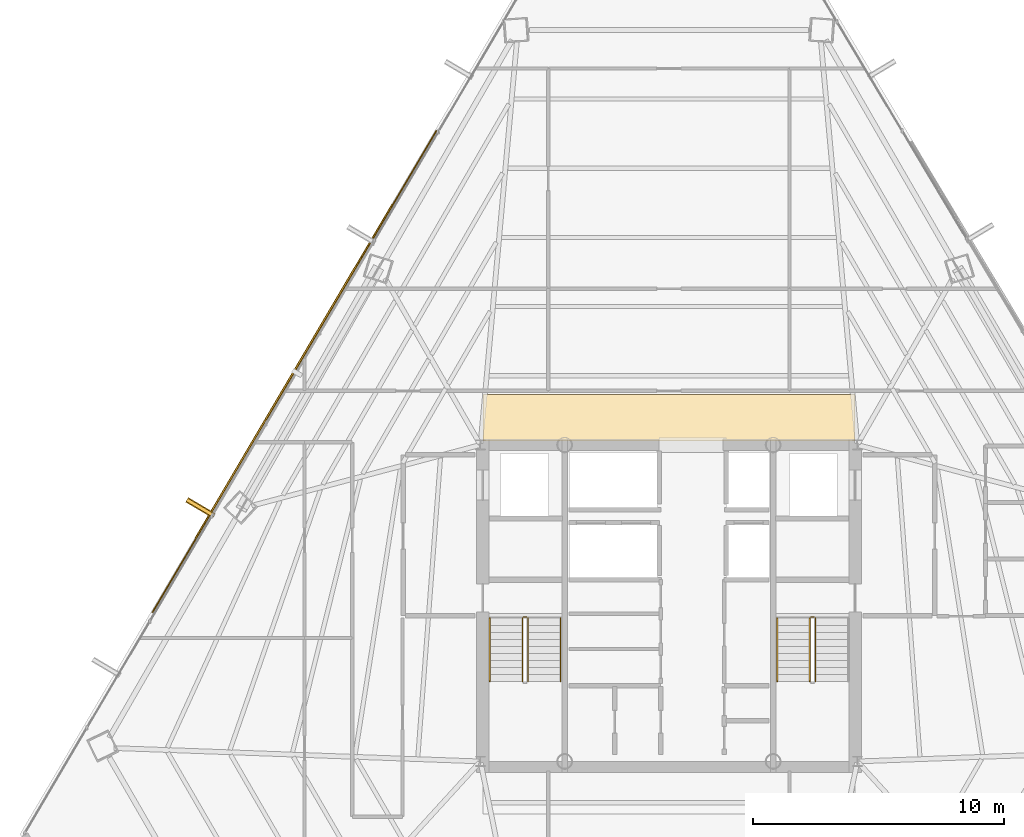
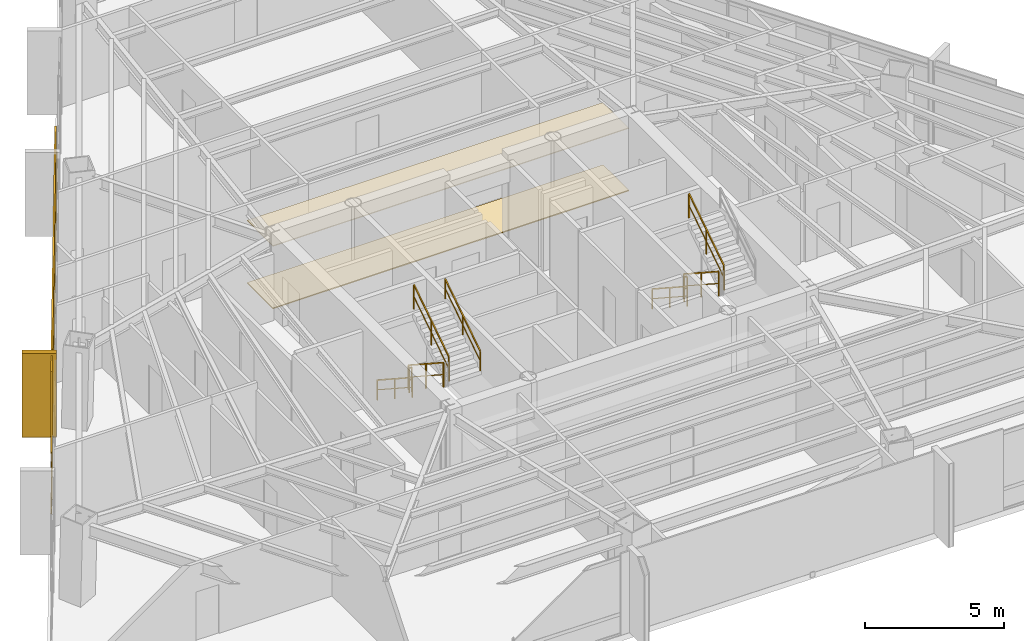
# One storey, part 40 of 41: 9 railings, 4 coverings, 2 shading devices.
"""IFC4 building model written with IfcOpenShell, lengths in metres."""

from ifc_helpers import new_model, si_unit, direction, frame, origin, origin_2d, place, context, subcontext, project, spatial, polyline, rectangle, outline, extrude, source, transform, mapped, material, layer, layer_set, type_object, type_shapes, element, save


model = new_model("IFC4")

# Units and contexts
model_context = context("Model", 3, precision=1e-05, world=origin(), true_north=direction((0.0, 1.0)))
body_context = subcontext(model_context, "Body", "Model", "MODEL_VIEW")
ifc_project = project(units=[si_unit("LENGTHUNIT", "METRE"), si_unit("AREAUNIT", "SQUARE_METRE"), si_unit("VOLUMEUNIT", "CUBIC_METRE"), si_unit("PLANEANGLEUNIT", "RADIAN"), si_unit("MASSUNIT", "GRAM", prefix="KILO")], contexts=[model_context])

# Site, building, storey
site_placement = place(None, origin())
site = spatial("IfcSite", under=ifc_project, at=site_placement, CompositionType="ELEMENT")
building_placement = place(site_placement, origin())
building = spatial("IfcBuilding", under=site, at=building_placement, Name="Caelisora Broadcast Tower", CompositionType="ELEMENT")
storey_placement = place(building_placement, frame((0.0, 0.0, 162.14990234375)))
storey = spatial("IfcBuildingStorey", under=building, at=storey_placement, Name="L42", CompositionType="ELEMENT", Elevation=162.14990234375)

# Coverings
ifc_material_1 = material(Name="Perforated Mineral-Fibre Acoustic Ceiling Tile", Category="gypsum")
ifc_layer_1 = layer(ifc_material_1, 0.034912109375, Name="Perforated Mineral-Fibre Acoustic Ceiling Tile")
ifc_layer_set_1 = layer_set([ifc_layer_1], Name="Perforated Mineral-Fibre Acoustic Ceiling Tile")
covering_type_1 = type_object("IfcCoveringType", Name="CE-1", PredefinedType="CEILING", material=ifc_layer_set_1)
covering_1_placement = place(storey_placement, frame((0.0, 0.0, 2.75)))
element("IfcCovering", 1, at=covering_1_placement, inside=storey, type_object=covering_type_1, Name="L42 acoustic corridor ceiling CE-1 (N)", PredefinedType="CEILING", context=body_context, shape_type="SweptSolid", body=[
    extrude(outline(polyline([(30.60009765625, 30.14990234375), (45.39990234375, 30.14990234375), (45.39990234375, 32.0), (30.60009765625, 32.0), (30.60009765625, 30.14990234375)])), origin(), (0.0, 0.0, 1.0), 0.03515625),
])
ifc_material_2 = material(Name="Anti-Static Broadcast Raised Access Floor Panel", Category="steel")
ifc_layer_2 = layer(ifc_material_2, 0.044921875, Name="Anti-Static Broadcast Raised Access Floor Panel")
ifc_layer_set_2 = layer_set([ifc_layer_2], Name="Anti-Static Broadcast Raised Access Floor Panel")
covering_type_2 = type_object("IfcCoveringType", Name="FL-1", PredefinedType="FLOORING", material=ifc_layer_set_2)
covering_2_placement = place(storey_placement, origin())
element("IfcCovering", 2, at=covering_2_placement, inside=storey, type_object=covering_type_2, Name="L42 broadcast raised access floor FL-1 (N)", PredefinedType="FLOORING", context=body_context, shape_type="SweptSolid", body=[
    extrude(outline(polyline([(30.60009765625, 30.14990234375), (45.39990234375, 30.14990234375), (45.39990234375, 32.0), (30.60009765625, 32.0), (30.60009765625, 30.14990234375)])), origin(), (0.0, 0.0, 1.0), 0.045166015625),
])

# Railings
ifc_material_3 = material(Name="Galvanised Steel Safety Guardrail", Category="steel")
ifc_layer_3 = layer(ifc_material_3, 0.048095703125, Name="Galvanised Steel Safety Guardrail")
ifc_layer_set_3 = layer_set([ifc_layer_3], Name="Galvanised Steel Safety Guardrail")
railing_type_1 = type_object("IfcRailingType", Name="GR-1", PredefinedType="GUARDRAIL", material=ifc_layer_set_3)
railing_1_placement = place(storey_placement, frame((32.169921875, 23.10009765625, 0.1826171875)))
element("IfcRailing", 3, at=railing_1_placement, inside=storey, type_object=railing_type_1, Name="L42 ST-1 stair guard 1", PredefinedType="GUARDRAIL", context=body_context, shape_type="SweptSolid", body=[
    extrude(rectangle(XDim=0.048095703125, YDim=0.048095703125, at=origin_2d()), frame((0.0, 0.0, 1.076171875), z_axis=(0.0, -0.837749427056, 0.546054848405), x_axis=(1.0, 0.0, 0.0)), (0.0, 0.0, 1.0), 3.008056640625),
    extrude(rectangle(XDim=0.03125, YDim=0.03125, at=origin_2d()), frame((0.0, 0.0, 0.550048828125), z_axis=(0.0, -0.837749427056, 0.546054848405), x_axis=(1.0, 0.0, 0.0)), (0.0, 0.0, 1.0), 3.008056640625),
    extrude(rectangle(XDim=0.0419921875, YDim=0.0419921875, at=origin_2d()), origin(), (0.0, 0.0, 1.0), 1.052001953125),
    extrude(rectangle(XDim=0.0419921875, YDim=0.0419921875, at=origin_2d()), frame((0.0, -1.260009765625, 0.8212890625)), (0.0, 0.0, 1.0), 1.052001953125),
    extrude(rectangle(XDim=0.0419921875, YDim=0.0419921875, at=origin_2d()), frame((0.0, -2.52001953125, 1.642578125)), (0.0, 0.0, 1.0), 1.052001953125),
])
railing_2_placement = place(storey_placement, frame((32.389892578125, 20.580078125, 2.007568359375)))
element("IfcRailing", 4, at=railing_2_placement, inside=storey, type_object=railing_type_1, Name="L42 ST-1 stair guard 3", PredefinedType="GUARDRAIL", context=body_context, shape_type="SweptSolid", body=[
    extrude(rectangle(XDim=0.048095703125, YDim=0.048095703125, at=origin_2d()), frame((0.0, 0.0, 1.076171875), z_axis=(0.0, 0.837749427056, 0.546054848405), x_axis=(-1.0, 0.0, 0.0)), (0.0, 0.0, 1.0), 3.008056640625),
    extrude(rectangle(XDim=0.03125, YDim=0.03125, at=origin_2d()), frame((0.0, 0.0, 0.550048828125), z_axis=(0.0, 0.837749427056, 0.546054848405), x_axis=(-1.0, 0.0, 0.0)), (0.0, 0.0, 1.0), 3.008056640625),
    extrude(rectangle(XDim=0.0419921875, YDim=0.0419921875, at=origin_2d()), origin(), (0.0, 0.0, 1.0), 1.052001953125),
    extrude(rectangle(XDim=0.0419921875, YDim=0.0419921875, at=origin_2d()), frame((0.0, 1.260009765625, 0.8212890625)), (0.0, 0.0, 1.0), 1.052001953125),
    extrude(rectangle(XDim=0.0419921875, YDim=0.0419921875, at=origin_2d()), frame((0.0, 2.52001953125, 1.642578125)), (0.0, 0.0, 1.0), 1.052001953125),
])
railing_3_placement = place(storey_placement, frame((32.219970703125, 23.14990234375, 0.0)))
element("IfcRailing", 5, at=railing_3_placement, inside=storey, type_object=railing_type_1, Name="L42 ST-1 stair guard 4", PredefinedType="GUARDRAIL", context=body_context, shape_type="SweptSolid", body=[
    extrude(rectangle(XDim=0.048095703125, YDim=0.048095703125, at=origin_2d()), frame((0.0, 0.0, 1.076171875), z_axis=(1.0, 0.0, 0.0), x_axis=(0.0, 1.0, 0.0)), (0.0, 0.0, 1.0), 0.1201171875),
    extrude(rectangle(XDim=0.03125, YDim=0.03125, at=origin_2d()), frame((0.0, 0.0, 0.550048828125), z_axis=(1.0, 0.0, 0.0), x_axis=(0.0, 1.0, 0.0)), (0.0, 0.0, 1.0), 0.1201171875),
    extrude(rectangle(XDim=0.0419921875, YDim=0.0419921875, at=origin_2d()), origin(), (0.0, 0.0, 1.0), 1.052001953125),
    extrude(rectangle(XDim=0.0419921875, YDim=0.0419921875, at=origin_2d()), frame((0.1201171875, 0.0, 0.0)), (0.0, 0.0, 1.0), 1.052001953125),
])
railing_4_placement = place(storey_placement, frame((43.610107421875, 23.10009765625, 0.1826171875)))
element("IfcRailing", 6, at=railing_4_placement, inside=storey, type_object=railing_type_1, Name="L42 ST-2 stair guard 1", PredefinedType="GUARDRAIL", context=body_context, shape_type="SweptSolid", body=[
    extrude(rectangle(XDim=0.048095703125, YDim=0.048095703125, at=origin_2d()), frame((0.0, 0.0, 1.076171875), z_axis=(0.0, -0.837749427056, 0.546054848405), x_axis=(1.0, 0.0, 0.0)), (0.0, 0.0, 1.0), 3.008056640625),
    extrude(rectangle(XDim=0.03125, YDim=0.03125, at=origin_2d()), frame((0.0, 0.0, 0.550048828125), z_axis=(0.0, -0.837749427056, 0.546054848405), x_axis=(1.0, 0.0, 0.0)), (0.0, 0.0, 1.0), 3.008056640625),
    extrude(rectangle(XDim=0.0419921875, YDim=0.0419921875, at=origin_2d()), origin(), (0.0, 0.0, 1.0), 1.052001953125),
    extrude(rectangle(XDim=0.0419921875, YDim=0.0419921875, at=origin_2d()), frame((0.0, -1.260009765625, 0.8212890625)), (0.0, 0.0, 1.0), 1.052001953125),
    extrude(rectangle(XDim=0.0419921875, YDim=0.0419921875, at=origin_2d()), frame((0.0, -2.52001953125, 1.642578125)), (0.0, 0.0, 1.0), 1.052001953125),
])
railing_5_placement = place(storey_placement, frame((43.830078125, 20.580078125, 2.007568359375)))
element("IfcRailing", 7, at=railing_5_placement, inside=storey, type_object=railing_type_1, Name="L42 ST-2 stair guard 3", PredefinedType="GUARDRAIL", context=body_context, shape_type="SweptSolid", body=[
    extrude(rectangle(XDim=0.048095703125, YDim=0.048095703125, at=origin_2d()), frame((0.0, 0.0, 1.076171875), z_axis=(0.0, 0.837749427056, 0.546054848405), x_axis=(-1.0, 0.0, 0.0)), (0.0, 0.0, 1.0), 3.008056640625),
    extrude(rectangle(XDim=0.03125, YDim=0.03125, at=origin_2d()), frame((0.0, 0.0, 0.550048828125), z_axis=(0.0, 0.837749427056, 0.546054848405), x_axis=(-1.0, 0.0, 0.0)), (0.0, 0.0, 1.0), 3.008056640625),
    extrude(rectangle(XDim=0.0419921875, YDim=0.0419921875, at=origin_2d()), origin(), (0.0, 0.0, 1.0), 1.052001953125),
    extrude(rectangle(XDim=0.0419921875, YDim=0.0419921875, at=origin_2d()), frame((0.0, 1.260009765625, 0.8212890625)), (0.0, 0.0, 1.0), 1.052001953125),
    extrude(rectangle(XDim=0.0419921875, YDim=0.0419921875, at=origin_2d()), frame((0.0, 2.52001953125, 1.642578125)), (0.0, 0.0, 1.0), 1.052001953125),
])
railing_6_placement = place(storey_placement, frame((43.659912109375, 23.14990234375, 0.0)))
element("IfcRailing", 8, at=railing_6_placement, inside=storey, type_object=railing_type_1, Name="L42 ST-2 stair guard 4", PredefinedType="GUARDRAIL", context=body_context, shape_type="SweptSolid", body=[
    extrude(rectangle(XDim=0.048095703125, YDim=0.048095703125, at=origin_2d()), frame((0.0, 0.0, 1.076171875), z_axis=(1.0, 0.0, 0.0), x_axis=(0.0, 1.0, 0.0)), (0.0, 0.0, 1.0), 0.1201171875),
    extrude(rectangle(XDim=0.03125, YDim=0.03125, at=origin_2d()), frame((0.0, 0.0, 0.550048828125), z_axis=(1.0, 0.0, 0.0), x_axis=(0.0, 1.0, 0.0)), (0.0, 0.0, 1.0), 0.1201171875),
    extrude(rectangle(XDim=0.0419921875, YDim=0.0419921875, at=origin_2d()), origin(), (0.0, 0.0, 1.0), 1.052001953125),
    extrude(rectangle(XDim=0.0419921875, YDim=0.0419921875, at=origin_2d()), frame((0.1201171875, 0.0, 0.0)), (0.0, 0.0, 1.0), 1.052001953125),
])
ifc_material_4 = material(Name="Stainless Steel Grade 316 Tubular Handrail", Category="steel")
ifc_layer_4 = layer(ifc_material_4, 0.048095703125, Name="Stainless Steel Grade 316 Tubular Handrail")
ifc_layer_set_4 = layer_set([ifc_layer_4], Name="Stainless Steel Grade 316 Tubular Handrail")
railing_type_2 = type_object("IfcRailingType", Name="HR-1", PredefinedType="HANDRAIL", material=ifc_layer_set_4)
railing_7_placement = place(storey_placement, frame((30.8701171875, 23.10009765625, 0.1826171875)))
element("IfcRailing", 9, at=railing_7_placement, inside=storey, type_object=railing_type_2, Name="L42 ST-1 stair handrail 1", PredefinedType="HANDRAIL", context=body_context, shape_type="SweptSolid", body=[
    extrude(rectangle(XDim=0.048095703125, YDim=0.048095703125, at=origin_2d()), frame((0.0, 0.0, 0.8759765625), z_axis=(0.0, -0.837749427056, 0.546054848405), x_axis=(1.0, 0.0, 0.0)), (0.0, 0.0, 1.0), 3.008056640625),
    extrude(rectangle(XDim=0.03125, YDim=0.03125, at=origin_2d()), frame((0.0, 0.0, 0.449951171875), z_axis=(0.0, -0.837749427056, 0.546054848405), x_axis=(1.0, 0.0, 0.0)), (0.0, 0.0, 1.0), 3.008056640625),
    extrude(rectangle(XDim=0.0419921875, YDim=0.0419921875, at=origin_2d()), origin(), (0.0, 0.0, 1.0), 0.851806640625),
    extrude(rectangle(XDim=0.0419921875, YDim=0.0419921875, at=origin_2d()), frame((0.0, -1.260009765625, 0.8212890625)), (0.0, 0.0, 1.0), 0.851806640625),
    extrude(rectangle(XDim=0.0419921875, YDim=0.0419921875, at=origin_2d()), frame((0.0, -2.52001953125, 1.642578125)), (0.0, 0.0, 1.0), 0.851806640625),
])
railing_8_placement = place(storey_placement, frame((33.68994140625, 20.580078125, 2.007568359375)))
element("IfcRailing", 10, at=railing_8_placement, inside=storey, type_object=railing_type_2, Name="L42 ST-1 stair handrail 2", PredefinedType="HANDRAIL", context=body_context, shape_type="SweptSolid", body=[
    extrude(rectangle(XDim=0.048095703125, YDim=0.048095703125, at=origin_2d()), frame((0.0, 0.0, 0.8759765625), z_axis=(0.0, 0.837749427056, 0.546054848405), x_axis=(-1.0, 0.0, 0.0)), (0.0, 0.0, 1.0), 3.008056640625),
    extrude(rectangle(XDim=0.03125, YDim=0.03125, at=origin_2d()), frame((0.0, 0.0, 0.449951171875), z_axis=(0.0, 0.837749427056, 0.546054848405), x_axis=(-1.0, 0.0, 0.0)), (0.0, 0.0, 1.0), 3.008056640625),
    extrude(rectangle(XDim=0.0419921875, YDim=0.0419921875, at=origin_2d()), origin(), (0.0, 0.0, 1.0), 0.851806640625),
    extrude(rectangle(XDim=0.0419921875, YDim=0.0419921875, at=origin_2d()), frame((0.0, 1.260009765625, 0.8212890625)), (0.0, 0.0, 1.0), 0.851806640625),
    extrude(rectangle(XDim=0.0419921875, YDim=0.0419921875, at=origin_2d()), frame((0.0, 2.52001953125, 1.642578125)), (0.0, 0.0, 1.0), 0.851806640625),
])
railing_9_placement = place(storey_placement, frame((42.31005859375, 23.10009765625, 0.1826171875)))
element("IfcRailing", 11, at=railing_9_placement, inside=storey, type_object=railing_type_2, Name="L42 ST-2 stair handrail 1", PredefinedType="HANDRAIL", context=body_context, shape_type="SweptSolid", body=[
    extrude(rectangle(XDim=0.048095703125, YDim=0.048095703125, at=origin_2d()), frame((0.0, 0.0, 0.8759765625), z_axis=(0.0, -0.837749427056, 0.546054848405), x_axis=(1.0, 0.0, 0.0)), (0.0, 0.0, 1.0), 3.008056640625),
    extrude(rectangle(XDim=0.03125, YDim=0.03125, at=origin_2d()), frame((0.0, 0.0, 0.449951171875), z_axis=(0.0, -0.837749427056, 0.546054848405), x_axis=(1.0, 0.0, 0.0)), (0.0, 0.0, 1.0), 3.008056640625),
    extrude(rectangle(XDim=0.0419921875, YDim=0.0419921875, at=origin_2d()), origin(), (0.0, 0.0, 1.0), 0.851806640625),
    extrude(rectangle(XDim=0.0419921875, YDim=0.0419921875, at=origin_2d()), frame((0.0, -1.260009765625, 0.8212890625)), (0.0, 0.0, 1.0), 0.851806640625),
    extrude(rectangle(XDim=0.0419921875, YDim=0.0419921875, at=origin_2d()), frame((0.0, -2.52001953125, 1.642578125)), (0.0, 0.0, 1.0), 0.851806640625),
])

# Covering
ifc_material_5 = material(Name="Kiln-Fired Terracotta Spandrel Rainscreen Cladding", Category="ceramic")
ifc_layer_5 = layer(ifc_material_5, 0.044921875, Name="Kiln-Fired Terracotta Spandrel Rainscreen Cladding")
ifc_layer_set_5 = layer_set([ifc_layer_5], Name="Kiln-Fired Terracotta Spandrel Rainscreen Cladding")
covering_type_3 = type_object("IfcCoveringType", Name="CL-1", PredefinedType="CLADDING", material=ifc_layer_set_5)
shared_shape_1 = source(origin(), body_context, "Body", "SweptSolid", [
    extrude(rectangle(XDim=0.219970703125, YDim=1.25, at=origin_2d()), origin(), (0.0, 0.0, 1.0), 3.68994140625),
])
covering_3_placement = place(storey_placement, frame((19.353759765625, 27.497802734375, -0.019775390625), z_axis=(0.0, 0.0, 1.0), x_axis=(0.507989441341, 0.861363295878, 0.0)))
element("IfcCovering", 12, at=covering_3_placement, inside=storey, type_object=covering_type_3, Name="L42 vertical solar fin cladding #3-2", PredefinedType="CLADDING", context=body_context, shape_type="MappedRepresentation", body=[
    mapped(shared_shape_1, transform((0.0, 0.0, 0.0), scale=1.0)),
])

# Shading devices
ifc_material_6 = material(Name="Extruded Terracotta Flaring Colonnade Fin", Category="ceramic")
ifc_layer_6 = layer(ifc_material_6, 0.139892578125, Name="Extruded Terracotta Flaring Colonnade Fin")
ifc_layer_set_6 = layer_set([ifc_layer_6], Name="Extruded Terracotta Flaring Colonnade Fin")
shading_device_type_1 = type_object("IfcShadingDeviceType", Name="FN-1", PredefinedType="USERDEFINED", material=ifc_layer_set_6)
shared_shape_2 = source(origin(), body_context, "Body", "SweptSolid", [
    extrude(rectangle(XDim=0.139892578125, YDim=1.25, at=origin_2d()), origin(), (0.0, 0.0, 1.0), 3.669921875),
])
type_shapes(shading_device_type_1, [shared_shape_2])
shading_device_1_placement = place(storey_placement, frame((19.353759765625, 27.497802734375, -0.009765625), z_axis=(0.0, 0.0, 1.0), x_axis=(0.507989441341, 0.861363295878, 0.0)))
element("IfcShadingDevice", 13, at=shading_device_1_placement, inside=storey, type_object=shading_device_type_1, Name="L42 vertical terracotta fin #3-2", ObjectType="FIN", PredefinedType="USERDEFINED", context=body_context, shape_type="MappedRepresentation", body=[
    mapped(shared_shape_2, transform((0.0, 0.0, 0.0), scale=1.0)),
])
ifc_material_7 = material(Name="Perforated Glazed Terracotta Baguette Solar Screen", Category="ceramic")
ifc_layer_7 = layer(ifc_material_7, 0.06494140625, Name="Perforated Glazed Terracotta Baguette Solar Screen")
ifc_layer_set_7 = layer_set([ifc_layer_7], Name="Perforated Glazed Terracotta Baguette Solar Screen")
shading_device_type_2 = type_object("IfcShadingDeviceType", Name="SS-1", PredefinedType="USERDEFINED", material=ifc_layer_set_7)
shared_shape_3 = source(origin(), body_context, "Body", "SweptSolid", [
    extrude(rectangle(XDim=15.4140625, YDim=0.06494140625, at=origin_2d()), origin(), (0.0, 0.0, 1.0), 3.590087890625),
])
type_shapes(shading_device_type_2, [shared_shape_3])
shading_device_2_placement = place(storey_placement, frame((23.080078125, 32.93017578125, 0.0), z_axis=(0.0, 0.0, 1.0), x_axis=(-0.507989441341, -0.861363295878, 0.0)))
element("IfcShadingDevice", 14, at=shading_device_2_placement, inside=storey, type_object=shading_device_type_2, Name="L42 perforated terracotta solar screen #1", ObjectType="SOLAR SCREEN", PredefinedType="USERDEFINED", context=body_context, shape_type="MappedRepresentation", body=[
    mapped(shared_shape_3, transform((0.0, 0.0, 0.0), scale=1.0)),
])

# Covering
shared_shape_4 = source(origin(), body_context, "Body", "SweptSolid", [
    extrude(rectangle(XDim=22.264892578125, YDim=0.044921875, at=origin_2d()), origin(), (0.0, 0.0, 1.0), 0.340087890625),
])
type_shapes(covering_type_3, [shared_shape_1, shared_shape_4])
covering_4_placement = place(storey_placement, frame((23.09716796875, 32.919921875, -0.27001953125), z_axis=(0.0, 0.0, 1.0), x_axis=(-0.507989441341, -0.861363295878, 0.0)))
element("IfcCovering", 15, at=covering_4_placement, inside=storey, type_object=covering_type_3, Name="L42 terracotta spandrel rainscreen #1", PredefinedType="CLADDING", context=body_context, shape_type="MappedRepresentation", body=[
    mapped(shared_shape_4, transform((0.0, 0.0, 0.0), scale=1.0)),
])

save(model, "model.ifc")
